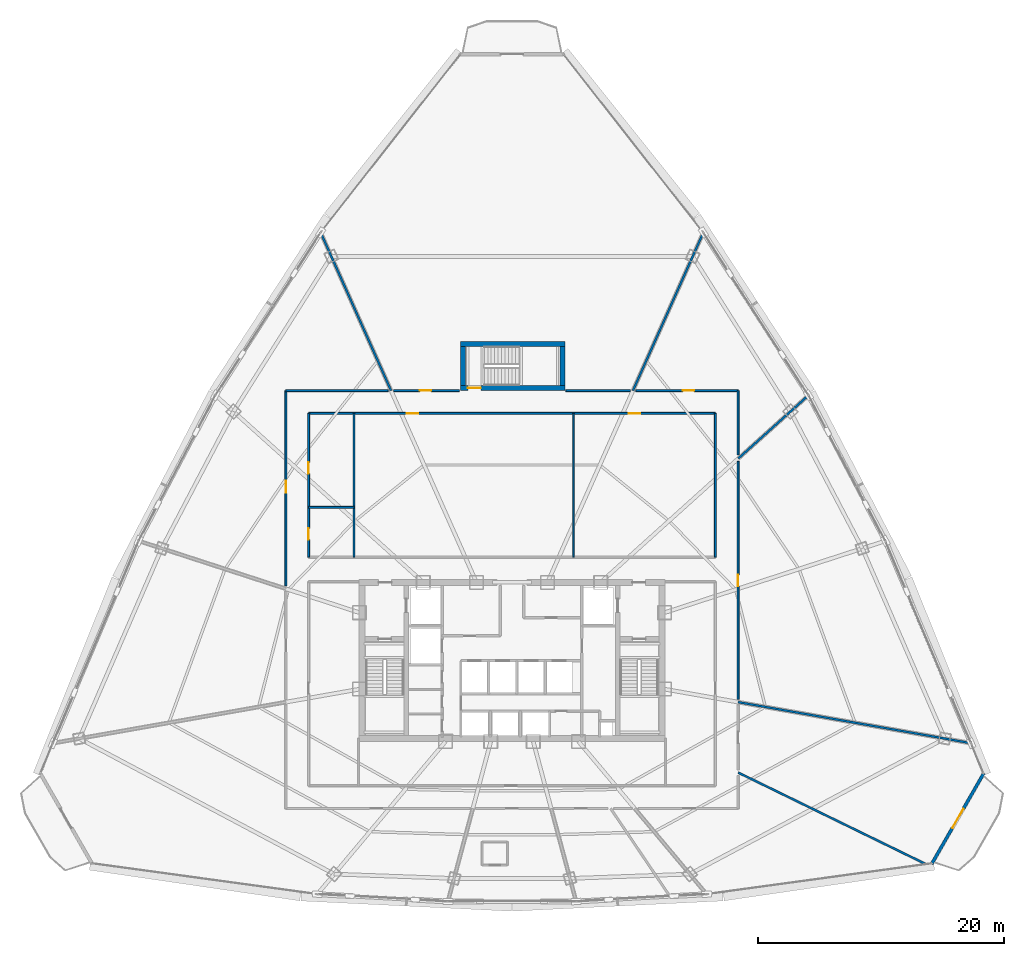
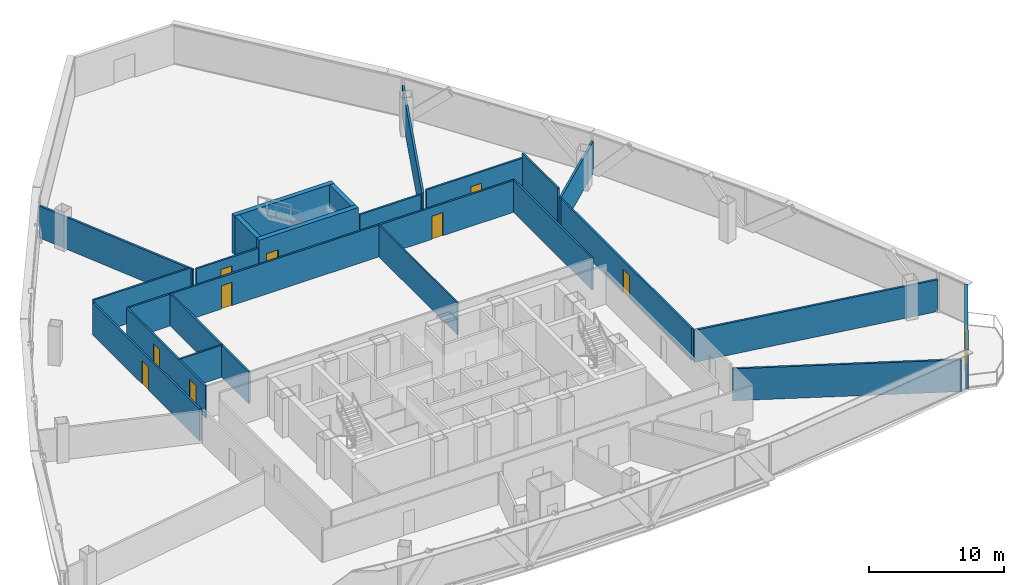
# One storey, part 32 of 37: 23 walls, 10 doors, 10 openings.
"""IFC4 building model written with IfcOpenShell, lengths in metres."""

from ifc_helpers import new_model, si_unit, direction, frame, frame_2d, origin, origin_with_axes, place, context, subcontext, project, spatial, rectangle, extrude, source, transform, mapped, material, layer, layer_set, type_object, element, fill, save


model = new_model("IFC4")

# Units and contexts
model_context = context("Model", 3, precision=1e-05, world=origin(), true_north=direction((0.0, 1.0)))
body_context = subcontext(model_context, "Body", "Model", "MODEL_VIEW")
ifc_project = project(units=[si_unit("LENGTHUNIT", "METRE"), si_unit("AREAUNIT", "SQUARE_METRE"), si_unit("VOLUMEUNIT", "CUBIC_METRE"), si_unit("PLANEANGLEUNIT", "RADIAN"), si_unit("MASSUNIT", "GRAM", prefix="KILO"), si_unit("THERMODYNAMICTEMPERATUREUNIT", "KELVIN"), si_unit("POWERUNIT", "WATT")], contexts=[model_context])

# Site, building, storey
site_placement = place(None, origin())
site = spatial("IfcSite", under=ifc_project, at=site_placement, CompositionType="ELEMENT")
building_placement = place(site_placement, origin())
building = spatial("IfcBuilding", under=site, at=building_placement, Name="Yunzhuo Pagoda Commons", CompositionType="ELEMENT")
storey_placement = place(building_placement, frame((0.0, 0.0, 192.360107421875)))
storey = spatial("IfcBuildingStorey", under=building, at=storey_placement, Name="L48", CompositionType="ELEMENT", Elevation=192.360107421875)

# Wall, opening, door
ifc_material_1 = material(Name="Precast concrete C40", Category="concrete")
ifc_layer_1 = layer(ifc_material_1, 0.260009765625)
ifc_layer_set_1 = layer_set([ifc_layer_1], Name="Precast concrete C40")
wall_type_1 = type_object("IfcWallType", Name="W-BAL1 Corner Balcony Threshold Wall 260", PredefinedType="STANDARD", material=ifc_layer_set_1)
wall_1_placement = place(storey_placement, frame((82.139892578125, 17.284912109375, 0.0), z_axis=(0.0, 0.0, 1.0), x_axis=(0.497930869929, 0.867216725376, 0.0)))
wall_1 = element("IfcWall", 1, at=wall_1_placement, inside=storey, type_object=wall_type_1, Name="L48 corner balcony wall V2", PredefinedType="STANDARD", context=body_context, shape_type="SweptSolid", body=[
    extrude(rectangle(XDim=8.534423828125, YDim=0.260009765625, at=frame_2d((4.26708984375, 0.0))), origin(), (0.0, 0.0, 1.0), 3.539794921875),
])
opening_1_placement = place(wall_1_placement, frame((3.3671875, 0.0, 0.0)))
opening_1 = element("IfcOpeningElement", 2, at=opening_1_placement, cuts=wall_1, Name="Opening D-BAL1", PredefinedType="OPENING", context=body_context, shape_type="SweptSolid", body=[
    extrude(rectangle(XDim=1.800048828125, YDim=2.14990234375, at=frame_2d((0.89990234375, 1.074951171875))), frame((0.0, 0.14013671875, 0.0), z_axis=(0.0, -1.0, 0.0), x_axis=(1.0, 0.0, 0.0)), (0.0, 0.0, 1.0), 0.280029296875),
])
ifc_material_2 = material(Name="Anodized aluminium frame and tempered glazed leaf", Category="aluminium")
door_type_1 = type_object("IfcDoorType", Name="D-BAL1 Corner Balcony Sliding Glazed Door 1800x2150", OperationType="DOUBLE_DOOR_SLIDING", PredefinedType="DOOR", material=ifc_material_2)
shared_shape_1 = source(origin(), body_context, "Body", "SweptSolid", [
    extrude(rectangle(XDim=1.800048828125, YDim=2.14990234375, at=frame_2d((0.89990234375, 1.074951171875))), frame((0.0, 0.02490234375, 0.0), z_axis=(0.0, -1.0, 0.0), x_axis=(1.0, 0.0, 0.0)), (0.0, 0.0, 1.0), 0.050048828125),
])
door_1_placement = place(opening_1_placement, origin_with_axes())
door_1 = element("IfcDoor", 3, at=door_1_placement, inside=storey, type_object=door_type_1, Name="L48 corner balcony sliding door V2", OperationType="DOUBLE_DOOR_SLIDING", OverallHeight=2.14990234375, OverallWidth=1.800048828125, PredefinedType="DOOR", context=body_context, shape_type="MappedRepresentation", body=[
    mapped(shared_shape_1, transform((0.0, 0.0, 0.0), scale=1.0)),
])
fill(opening_1, door_1)

# Wall, openings, doors
ifc_material_3 = material(Name="Gypsum plasterboard on acoustic stud")
ifc_layer_2 = layer(ifc_material_3, 0.155029296875)
ifc_layer_set_2 = layer_set([ifc_layer_2], Name="Gypsum plasterboard on acoustic stud")
wall_type_2 = type_object("IfcWallType", Name="W-COR2 Mid-Zone Rated Corridor Wall 155", PredefinedType="PARTITIONING", material=ifc_layer_set_2)
wall_2_placement = place(storey_placement, frame((31.449951171875, 53.949951171875, 0.0), z_axis=(0.0, 0.0, 1.0), x_axis=(1.0, 0.0, 0.0)))
wall_2 = element("IfcWall", 4, at=wall_2_placement, inside=storey, type_object=wall_type_2, Name="L48 interior wall IW-L48-MCNN", PredefinedType="PARTITIONING", context=body_context, shape_type="SweptSolid", body=[
    extrude(rectangle(XDim=33.10009765625, YDim=0.155029296875, at=frame_2d((16.550048828125, 0.0))), origin(), (0.0, 0.0, 1.0), 2.889892578125),
])
opening_2_placement = place(wall_2_placement, frame((8.0, 0.0, 0.0)))
opening_2 = element("IfcOpeningElement", 5, at=opening_2_placement, cuts=wall_2, Name="Opening D-04", PredefinedType="OPENING", context=body_context, shape_type="SweptSolid", body=[
    extrude(rectangle(XDim=0.919921875, YDim=2.10009765625, at=frame_2d((0.4599609375, 1.050048828125))), frame((0.0, 0.08740234375, 0.0), z_axis=(0.0, -1.0, 0.0), x_axis=(1.0, 0.0, 0.0)), (0.0, 0.0, 1.0), 0.175048828125),
])
opening_3_placement = place(wall_2_placement, frame((26.050048828125, 0.0, 0.0)))
opening_3 = element("IfcOpeningElement", 6, at=opening_3_placement, cuts=wall_2, Name="Opening D-04", PredefinedType="OPENING", context=body_context, shape_type="SweptSolid", body=[
    extrude(rectangle(XDim=0.919921875, YDim=2.10009765625, at=frame_2d((0.4599609375, 1.050048828125))), frame((0.0, 0.08740234375, 0.0), z_axis=(0.0, -1.0, 0.0), x_axis=(1.0, 0.0, 0.0)), (0.0, 0.0, 1.0), 0.175048828125),
])
ifc_material_4 = material(Name="Powder-coated aluminium and timber acoustic leaf", Category="wood")
door_type_2 = type_object("IfcDoorType", Name="D-04 Bedroom & Study Interior Door 920x2100", OperationType="NOTDEFINED", PredefinedType="DOOR", material=ifc_material_4)
shared_shape_2 = source(origin(), body_context, "Body", "SweptSolid", [
    extrude(rectangle(XDim=0.919921875, YDim=2.10009765625, at=frame_2d((0.4599609375, 1.050048828125))), frame((0.0, 0.02490234375, 0.0), z_axis=(0.0, -1.0, 0.0), x_axis=(1.0, 0.0, 0.0)), (0.0, 0.0, 1.0), 0.050048828125),
])
door_2_placement = place(opening_2_placement, origin_with_axes())
door_2 = element("IfcDoor", 7, at=door_2_placement, inside=storey, type_object=door_type_2, Name="L48 reading commons door", OperationType="SINGLE_SWING_LEFT", OverallHeight=2.10009765625, OverallWidth=0.919921875, PredefinedType="DOOR", context=body_context, shape_type="MappedRepresentation", body=[
    mapped(shared_shape_2, transform((0.0, 0.0, 0.0), scale=1.0)),
])
fill(opening_2, door_2)
door_3_placement = place(opening_3_placement, origin_with_axes())
door_3 = element("IfcDoor", 8, at=door_3_placement, inside=storey, type_object=door_type_2, Name="L48 seminar commons door", OperationType="SINGLE_SWING_RIGHT", OverallHeight=2.10009765625, OverallWidth=0.919921875, PredefinedType="DOOR", context=body_context, shape_type="MappedRepresentation", body=[
    mapped(shared_shape_2, transform((0.0, 0.0, 0.0), scale=1.0)),
])
fill(opening_3, door_3)

wall_3_placement = place(storey_placement, frame((31.449951171875, 42.25, 0.0), z_axis=(0.0, 0.0, 1.0), x_axis=(0.0, 1.0, 0.0)))
wall_3 = element("IfcWall", 9, at=wall_3_placement, inside=storey, type_object=wall_type_2, Name="L48 interior wall IW-L48-MCNW", PredefinedType="PARTITIONING", context=body_context, shape_type="SweptSolid", body=[
    extrude(rectangle(XDim=11.699951171875, YDim=0.155029296875, at=frame_2d((5.85009765625, 0.0))), origin(), (0.0, 0.0, 1.0), 2.889892578125),
])
opening_4_placement = place(wall_3_placement, frame((1.39990234375, 0.0, 0.0)))
opening_4 = element("IfcOpeningElement", 10, at=opening_4_placement, cuts=wall_3, Name="Opening D-11", PredefinedType="OPENING", context=body_context, shape_type="SweptSolid", body=[
    extrude(rectangle(XDim=0.93994140625, YDim=2.10009765625, at=frame_2d((0.469970703125, 1.050048828125))), frame((0.0, 0.08740234375, 0.0), z_axis=(0.0, -1.0, 0.0), x_axis=(1.0, 0.0, 0.0)), (0.0, 0.0, 1.0), 0.175048828125),
])
opening_5_placement = place(wall_3_placement, frame((6.800048828125, 0.0, 0.0)))
opening_5 = element("IfcOpeningElement", 11, at=opening_5_placement, cuts=wall_3, Name="Opening D-04", PredefinedType="OPENING", context=body_context, shape_type="SweptSolid", body=[
    extrude(rectangle(XDim=0.919921875, YDim=2.10009765625, at=frame_2d((0.4599609375, 1.050048828125))), frame((0.0, 0.08740234375, 0.0), z_axis=(0.0, -1.0, 0.0), x_axis=(1.0, 0.0, 0.0)), (0.0, 0.0, 1.0), 0.175048828125),
])
ifc_material_5 = material(Name="Galvanized fire-resisting metal leaf")
door_type_3 = type_object("IfcDoorType", Name="D-11 Accessible Washroom Fire Door 940x2100", OperationType="NOTDEFINED", PredefinedType="DOOR", material=ifc_material_5)
shared_shape_3 = source(origin(), body_context, "Body", "SweptSolid", [
    extrude(rectangle(XDim=0.93994140625, YDim=2.10009765625, at=frame_2d((0.469970703125, 1.050048828125))), frame((0.0, 0.02490234375, 0.0), z_axis=(0.0, -1.0, 0.0), x_axis=(1.0, 0.0, 0.0)), (0.0, 0.0, 1.0), 0.050048828125),
])
door_4_placement = place(opening_4_placement, origin_with_axes())
door_4 = element("IfcDoor", 12, at=door_4_placement, inside=storey, type_object=door_type_3, Name="L48 accessible WC door", OperationType="SINGLE_SWING_LEFT", OverallHeight=2.10009765625, OverallWidth=0.93994140625, PredefinedType="DOOR", context=body_context, shape_type="MappedRepresentation", body=[
    mapped(shared_shape_3, transform((0.0, 0.0, 0.0), scale=1.0)),
])
fill(opening_4, door_4)
door_5_placement = place(opening_5_placement, origin_with_axes())
door_5 = element("IfcDoor", 13, at=door_5_placement, inside=storey, type_object=door_type_2, Name="L48 laundry door", OperationType="SINGLE_SWING_RIGHT", OverallHeight=2.10009765625, OverallWidth=0.919921875, PredefinedType="DOOR", context=body_context, shape_type="MappedRepresentation", body=[
    mapped(shared_shape_2, transform((0.0, 0.0, 0.0), scale=1.0)),
])
fill(opening_5, door_5)

# Walls
for number, where, z_axis, x_axis, name in (
    (14, (64.550048828125, 42.25, 0.0), (0.0, 0.0, 1.0), (0.0, 1.0, 0.0), "L48 interior wall IW-L48-MCNE"),
    (15, (35.14990234375, 42.25, 0.0), (0.0, 0.0, 1.0), (0.0, 1.0, 0.0), "L48 interior wall IW-L48-MCWCE"),
):
    element("IfcWall", number, at=place(storey_placement, frame(where, z_axis=z_axis, x_axis=x_axis)), inside=storey, type_object=wall_type_2, Name=name, PredefinedType="PARTITIONING", context=body_context, shape_type="SweptSolid", body=[
        extrude(rectangle(XDim=11.699951171875, YDim=0.155029296875, at=frame_2d((5.85009765625, 0.0))), origin(), (0.0, 0.0, 1.0), 2.889892578125),
    ])
wall_4_placement = place(storey_placement, frame((31.449951171875, 46.300048828125, 0.0), z_axis=(0.0, 0.0, 1.0), x_axis=(1.0, 0.0, 0.0)))
element("IfcWall", 16, at=wall_4_placement, inside=storey, type_object=wall_type_2, Name="L48 interior wall IW-L48-MCWCN", PredefinedType="PARTITIONING", context=body_context, shape_type="SweptSolid", body=[
    extrude(rectangle(XDim=3.699951171875, YDim=0.155029296875, at=frame_2d((1.85009765625, 0.0))), origin(), (0.0, 0.0, 1.0), 2.889892578125),
])

# Wall, opening, door
wall_5_placement = place(storey_placement, frame((29.60009765625, 39.909912109375, 0.0), z_axis=(0.0, 0.0, 1.0), x_axis=(0.0, 1.0, 0.0)))
wall_5 = element("IfcWall", 17, at=wall_5_placement, inside=storey, type_object=wall_type_2, Name="L48 interior wall IW-L48-CWL03", PredefinedType="PARTITIONING", context=body_context, shape_type="SweptSolid", body=[
    extrude(rectangle(XDim=15.89013671875, YDim=0.155029296875, at=frame_2d((7.945068359375, 0.0))), origin(), (0.0, 0.0, 1.0), 2.889892578125),
])
opening_6_placement = place(wall_5_placement, frame((7.58447265625, 0.0, 0.0)))
opening_6 = element("IfcOpeningElement", 18, at=opening_6_placement, cuts=wall_5, Name="Opening D-07", PredefinedType="OPENING", context=body_context, shape_type="SweptSolid", body=[
    extrude(rectangle(XDim=0.9599609375, YDim=2.1201171875, at=frame_2d((0.47998046875, 1.06005859375))), frame((0.0, 0.08740234375, 0.0), z_axis=(0.0, -1.0, 0.0), x_axis=(1.0, 0.0, 0.0)), (0.0, 0.0, 1.0), 0.175048828125),
])
door_type_4 = type_object("IfcDoorType", Name="D-07 Mid-Zone Suite Entrance Fire Door 960x2120", OperationType="NOTDEFINED", PredefinedType="DOOR", material=ifc_material_5)
shared_shape_4 = source(origin(), body_context, "Body", "SweptSolid", [
    extrude(rectangle(XDim=0.9599609375, YDim=2.1201171875, at=frame_2d((0.47998046875, 1.06005859375))), frame((0.0, 0.02490234375, 0.0), z_axis=(0.0, -1.0, 0.0), x_axis=(1.0, 0.0, 0.0)), (0.0, 0.0, 1.0), 0.050048828125),
])
door_6_placement = place(opening_6_placement, origin_with_axes())
door_6 = element("IfcDoor", 19, at=door_6_placement, inside=storey, type_object=door_type_4, Name="L48 Resident Co-Living Commons Hall door", OperationType="SINGLE_SWING_LEFT", OverallHeight=2.1201171875, OverallWidth=0.9599609375, PredefinedType="DOOR", context=body_context, shape_type="MappedRepresentation", body=[
    mapped(shared_shape_4, transform((0.0, 0.0, 0.0), scale=1.0)),
])
fill(opening_6, door_6)

# Wall
wall_6_placement = place(storey_placement, frame((29.60009765625, 55.800048828125, 0.0), z_axis=(0.0, 0.0, 1.0), x_axis=(1.0, 0.0, 0.0)))
element("IfcWall", 20, at=wall_6_placement, inside=storey, type_object=wall_type_2, Name="L48 interior wall IW-L48-CWL04", PredefinedType="PARTITIONING", context=body_context, shape_type="SweptSolid", body=[
    extrude(rectangle(XDim=8.319580078125, YDim=0.155029296875, at=frame_2d((4.15966796875, 0.0))), origin(), (0.0, 0.0, 1.0), 3.139892578125),
])

# Wall, opening, door
wall_7_placement = place(storey_placement, frame((38.380126953125, 55.800048828125, 0.0), z_axis=(0.0, 0.0, 1.0), x_axis=(1.0, 0.0, 0.0)))
wall_7 = element("IfcWall", 21, at=wall_7_placement, inside=storey, type_object=wall_type_2, Name="L48 interior wall IW-L48-CWL05", PredefinedType="PARTITIONING", context=body_context, shape_type="SweptSolid", body=[
    extrude(rectangle(XDim=5.328857421875, YDim=0.155029296875, at=frame_2d((2.66455078125, 0.0))), origin(), (0.0, 0.0, 1.0), 2.889892578125),
])
opening_7_placement = place(wall_7_placement, frame((2.1298828125, 0.0, 0.0)))
opening_7 = element("IfcOpeningElement", 22, at=opening_7_placement, cuts=wall_7, Name="Opening D-04", PredefinedType="OPENING", context=body_context, shape_type="SweptSolid", body=[
    extrude(rectangle(XDim=0.919921875, YDim=2.10009765625, at=frame_2d((0.4599609375, 1.050048828125))), frame((0.0, 0.08740234375, 0.0), z_axis=(0.0, -1.0, 0.0), x_axis=(1.0, 0.0, 0.0)), (0.0, 0.0, 1.0), 0.175048828125),
])
door_7_placement = place(opening_7_placement, origin_with_axes())
door_7 = element("IfcDoor", 23, at=door_7_placement, inside=storey, type_object=door_type_2, Name="L48 seminar room 03 door", OperationType="SINGLE_SWING_RIGHT", OverallHeight=2.10009765625, OverallWidth=0.919921875, PredefinedType="DOOR", context=body_context, shape_type="MappedRepresentation", body=[
    mapped(shared_shape_2, transform((0.0, 0.0, 0.0), scale=1.0)),
])
fill(opening_7, door_7)

# Wall
wall_8_placement = place(storey_placement, frame((52.39111328125, 55.800048828125, 0.0), z_axis=(0.0, 0.0, 1.0), x_axis=(1.0, 0.0, 0.0)))
element("IfcWall", 24, at=wall_8_placement, inside=storey, type_object=wall_type_2, Name="L48 interior wall IW-L48-CWL06", PredefinedType="PARTITIONING", context=body_context, shape_type="SweptSolid", body=[
    extrude(rectangle(XDim=5.228759765625, YDim=0.155029296875, at=frame_2d((2.6142578125, 0.0))), origin(), (0.0, 0.0, 1.0), 2.889892578125),
])

# Wall, opening, door
wall_9_placement = place(storey_placement, frame((58.080322265625, 55.800048828125, 0.0), z_axis=(0.0, 0.0, 1.0), x_axis=(1.0, 0.0, 0.0)))
wall_9 = element("IfcWall", 25, at=wall_9_placement, inside=storey, type_object=wall_type_2, Name="L48 interior wall IW-L48-CWL07", PredefinedType="PARTITIONING", context=body_context, shape_type="SweptSolid", body=[
    extrude(rectangle(XDim=8.319580078125, YDim=0.155029296875, at=frame_2d((4.15966796875, 0.0))), origin(), (0.0, 0.0, 1.0), 3.139892578125),
])
opening_8_placement = place(wall_9_placement, frame((3.809326171875, 0.0, 0.0)))
opening_8 = element("IfcOpeningElement", 26, at=opening_8_placement, cuts=wall_9, Name="Opening D-04", PredefinedType="OPENING", context=body_context, shape_type="SweptSolid", body=[
    extrude(rectangle(XDim=0.919921875, YDim=2.10009765625, at=frame_2d((0.4599609375, 1.050048828125))), frame((0.0, 0.08740234375, 0.0), z_axis=(0.0, -1.0, 0.0), x_axis=(1.0, 0.0, 0.0)), (0.0, 0.0, 1.0), 0.175048828125),
])
door_8_placement = place(opening_8_placement, origin_with_axes())
door_8 = element("IfcDoor", 27, at=door_8_placement, inside=storey, type_object=door_type_2, Name="L48 seminar room 02 door", OperationType="SINGLE_SWING_LEFT", OverallHeight=2.10009765625, OverallWidth=0.919921875, PredefinedType="DOOR", context=body_context, shape_type="MappedRepresentation", body=[
    mapped(shared_shape_2, transform((0.0, 0.0, 0.0), scale=1.0)),
])
fill(opening_8, door_8)

# Wall
wall_10_placement = place(storey_placement, frame((66.39990234375, 55.800048828125, 0.0), z_axis=(0.0, 0.0, 1.0), x_axis=(0.0, -1.0, 0.0)))
element("IfcWall", 28, at=wall_10_placement, inside=storey, type_object=wall_type_2, Name="L48 interior wall IW-L48-CWL08", PredefinedType="PARTITIONING", context=body_context, shape_type="SweptSolid", body=[
    extrude(rectangle(XDim=5.236572265625, YDim=0.155029296875, at=frame_2d((2.6181640625, 0.0))), origin(), (0.0, 0.0, 1.0), 3.539794921875),
])

# Wall, opening, door
wall_11_placement = place(storey_placement, frame((66.39990234375, 50.047607421875, 0.0), z_axis=(0.0, 0.0, 1.0), x_axis=(0.0, -1.0, 0.0)))
wall_11 = element("IfcWall", 29, at=wall_11_placement, inside=storey, type_object=wall_type_2, Name="L48 interior wall IW-L48-CWL09", PredefinedType="PARTITIONING", context=body_context, shape_type="SweptSolid", body=[
    extrude(rectangle(XDim=19.372314453125, YDim=0.155029296875, at=frame_2d((9.68603515625, 0.0))), origin(), (0.0, 0.0, 1.0), 2.889892578125),
])
opening_9_placement = place(wall_11_placement, frame((9.211181640625, 0.0, 0.0)))
opening_9 = element("IfcOpeningElement", 30, at=opening_9_placement, cuts=wall_11, Name="Opening D-07", PredefinedType="OPENING", context=body_context, shape_type="SweptSolid", body=[
    extrude(rectangle(XDim=0.9599609375, YDim=2.1201171875, at=frame_2d((0.47998046875, 1.06005859375))), frame((0.0, 0.08740234375, 0.0), z_axis=(0.0, -1.0, 0.0), x_axis=(1.0, 0.0, 0.0)), (0.0, 0.0, 1.0), 0.175048828125),
])
door_9_placement = place(opening_9_placement, origin_with_axes())
door_9 = element("IfcDoor", 31, at=door_9_placement, inside=storey, type_object=door_type_4, Name="L48 Shared Resident Kitchen and Pantry door", OperationType="SINGLE_SWING_RIGHT", OverallHeight=2.1201171875, OverallWidth=0.9599609375, PredefinedType="DOOR", context=body_context, shape_type="MappedRepresentation", body=[
    mapped(shared_shape_4, transform((0.0, 0.0, 0.0), scale=1.0)),
])
fill(opening_9, door_9)

# Walls
ifc_layer_3 = layer(ifc_material_3, 0.1201171875)
ifc_layer_set_3 = layer_set([ifc_layer_3], Name="Gypsum plasterboard on acoustic stud")
wall_type_3 = type_object("IfcWallType", Name="W-PRT1 Suite & Bathroom Partition 120", PredefinedType="PARTITIONING", material=ifc_layer_set_3)
wall_12_placement = place(storey_placement, frame((53.0, 42.25, 0.0), z_axis=(0.0, 0.0, 1.0), x_axis=(0.0, 1.0, 0.0)))
element("IfcWall", 32, at=wall_12_placement, inside=storey, type_object=wall_type_3, Name="L48 interior wall IW-L48-MCDIV", PredefinedType="PARTITIONING", context=body_context, shape_type="SweptSolid", body=[
    extrude(rectangle(XDim=11.699951171875, YDim=0.1201171875, at=frame_2d((5.85009765625, 0.0))), origin(), (0.0, 0.0, 1.0), 2.889892578125),
])
ifc_layer_4 = layer(ifc_material_3, 0.175048828125)
ifc_layer_set_4 = layer_set([ifc_layer_4], Name="Gypsum plasterboard on acoustic stud")
wall_type_4 = type_object("IfcWallType", Name="W-PRT3 Mid-Zone Demising Wall 175", PredefinedType="PARTITIONING", material=ifc_layer_set_4)
wall_13_placement = place(storey_placement, frame((66.39990234375, 50.267333984375, 0.0), z_axis=(0.0, 0.0, 1.0), x_axis=(0.743141257722, 0.669134568731, 0.0)))
element("IfcWall", 33, at=wall_13_placement, inside=storey, type_object=wall_type_4, Name="L48 interior wall IW-L48-RAD01", PredefinedType="PARTITIONING", context=body_context, shape_type="SweptSolid", body=[
    extrude(rectangle(XDim=7.702880859375, YDim=0.175048828125, at=frame_2d((3.8515625, 0.0))), origin(), (0.0, 0.0, 1.0), 2.889892578125),
])
for number, where, z_axis, x_axis, name in (
    (34, (57.839599609375, 55.800048828125, 0.0), (0.0, 0.0, 1.0), (0.406725691424, 0.913550333554, 0.0), "L48 interior wall IW-L48-RAD02"),
    (35, (38.160400390625, 55.800048828125, 0.0), (0.0, 0.0, 1.0), (-0.406725691424, 0.913550333554, 0.0), "L48 interior wall IW-L48-RAD03"),
):
    element("IfcWall", number, at=place(storey_placement, frame(where, z_axis=z_axis, x_axis=x_axis)), inside=storey, type_object=wall_type_4, Name=name, PredefinedType="PARTITIONING", context=body_context, shape_type="SweptSolid", body=[
        extrude(rectangle(XDim=14.077880859375, YDim=0.175048828125, at=frame_2d((7.0390625, 0.0))), origin(), (0.0, 0.0, 1.0), 2.889892578125),
    ])
wall_14_placement = place(storey_placement, frame((66.39990234375, 24.7255859375, 0.0), z_axis=(0.0, 0.0, 1.0), x_axis=(0.898797681505, -0.438363693435, 0.0)))
element("IfcWall", 36, at=wall_14_placement, inside=storey, type_object=wall_type_4, Name="L48 interior wall IW-L48-RAD10", PredefinedType="PARTITIONING", context=body_context, shape_type="SweptSolid", body=[
    extrude(rectangle(XDim=17.01318359375, YDim=0.175048828125, at=frame_2d((8.506591796875, 0.0))), origin(), (0.0, 0.0, 1.0), 2.889892578125),
])
wall_15_placement = place(storey_placement, frame((66.39990234375, 30.45556640625, 0.0), z_axis=(0.0, 0.0, 1.0), x_axis=(0.984807685374, -0.173648561263, 0.0)))
element("IfcWall", 37, at=wall_15_placement, inside=storey, type_object=wall_type_4, Name="L48 interior wall IW-L48-RAD11", PredefinedType="PARTITIONING", context=body_context, shape_type="SweptSolid", body=[
    extrude(rectangle(XDim=19.24609375, YDim=0.175048828125, at=frame_2d((9.623046875, 0.0))), origin(), (0.0, 0.0, 1.0), 2.889892578125),
])
ifc_material_6 = material(Name="Concrete C60", Category="concrete")
ifc_layer_5 = layer(ifc_material_6, 0.39990234375)
ifc_layer_set_5 = layer_set([ifc_layer_5], Name="Concrete C60")
wall_type_5 = type_object("IfcWallType", Name="W-S01 Internal Core Shear Web 400", PredefinedType="SHEAR", material=ifc_layer_set_5)
wall_16_placement = place(storey_placement, frame((43.800048828125, 59.60009765625, 0.0), z_axis=(0.0, 0.0, 1.0), x_axis=(1.0, 0.0, 0.0)))
element("IfcWall", 38, at=wall_16_placement, inside=storey, type_object=wall_type_5, Name="L48 ST3 structural stair wall N", PredefinedType="SHEAR", context=body_context, shape_type="SweptSolid", body=[
    extrude(rectangle(XDim=8.5, YDim=0.39990234375, at=frame_2d((4.25, 0.0))), origin(), (0.0, 0.0, 1.0), 3.539794921875),
])

# Wall, opening, door
wall_17_placement = place(storey_placement, frame((43.800048828125, 56.0, 0.0), z_axis=(0.0, 0.0, 1.0), x_axis=(1.0, 0.0, 0.0)))
wall_17 = element("IfcWall", 39, at=wall_17_placement, inside=storey, type_object=wall_type_5, Name="L48 ST3 structural stair wall S", PredefinedType="SHEAR", context=body_context, shape_type="SweptSolid", body=[
    extrude(rectangle(XDim=8.5, YDim=0.39990234375, at=frame_2d((4.25, 0.0))), origin(), (0.0, 0.0, 1.0), 3.539794921875),
])
opening_10_placement = place(wall_17_placement, frame((0.6201171875, 0.0, 0.0)))
opening_10 = element("IfcOpeningElement", 40, at=opening_10_placement, cuts=wall_17, Name="Opening D-01", PredefinedType="OPENING", context=body_context, shape_type="SweptSolid", body=[
    extrude(rectangle(XDim=1.050048828125, YDim=2.10009765625, at=frame_2d((0.52490234375, 1.050048828125))), frame((0.0, 0.2099609375, 0.0), z_axis=(0.0, -1.0, 0.0), x_axis=(1.0, 0.0, 0.0)), (0.0, 0.0, 1.0), 0.419921875),
])
door_type_5 = type_object("IfcDoorType", Name="D-01 Smokeproof Stair Fire Door 1050x2100", OperationType="NOTDEFINED", PredefinedType="DOOR", material=ifc_material_5)
shared_shape_5 = source(origin(), body_context, "Body", "SweptSolid", [
    extrude(rectangle(XDim=1.050048828125, YDim=2.10009765625, at=frame_2d((0.52490234375, 1.050048828125))), frame((0.0, 0.02490234375, 0.0), z_axis=(0.0, -1.0, 0.0), x_axis=(1.0, 0.0, 0.0)), (0.0, 0.0, 1.0), 0.050048828125),
])
door_10_placement = place(opening_10_placement, frame((1.050048828125, 0.0, 0.0), z_axis=(0.0, 0.0, 1.0), x_axis=(-1.0, 0.0, 0.0)))
door_10 = element("IfcDoor", 41, at=door_10_placement, inside=storey, type_object=door_type_5, Name="L48 Stair ST3 fire door", OperationType="SINGLE_SWING_LEFT", OverallHeight=2.10009765625, OverallWidth=1.050048828125, PredefinedType="DOOR", context=body_context, shape_type="MappedRepresentation", body=[
    mapped(shared_shape_5, transform((0.0, 0.0, 0.0), scale=1.0)),
])
fill(opening_10, door_10)

# Walls
for number, where, z_axis, x_axis, name in (
    (42, (44.0, 56.199951171875, 0.0), (0.0, 0.0, 1.0), (0.0, 1.0, 0.0), "L48 ST3 structural stair wall W"),
    (43, (52.10009765625, 56.199951171875, 0.0), (0.0, 0.0, 1.0), (0.0, 1.0, 0.0), "L48 ST3 structural stair wall E"),
):
    element("IfcWall", number, at=place(storey_placement, frame(where, z_axis=z_axis, x_axis=x_axis)), inside=storey, type_object=wall_type_5, Name=name, PredefinedType="SHEAR", context=body_context, shape_type="SweptSolid", body=[
        extrude(rectangle(XDim=3.199951171875, YDim=0.39990234375, at=frame_2d((1.60009765625, 0.0))), origin(), (0.0, 0.0, 1.0), 3.539794921875),
    ])

save(model, "model.ifc")
